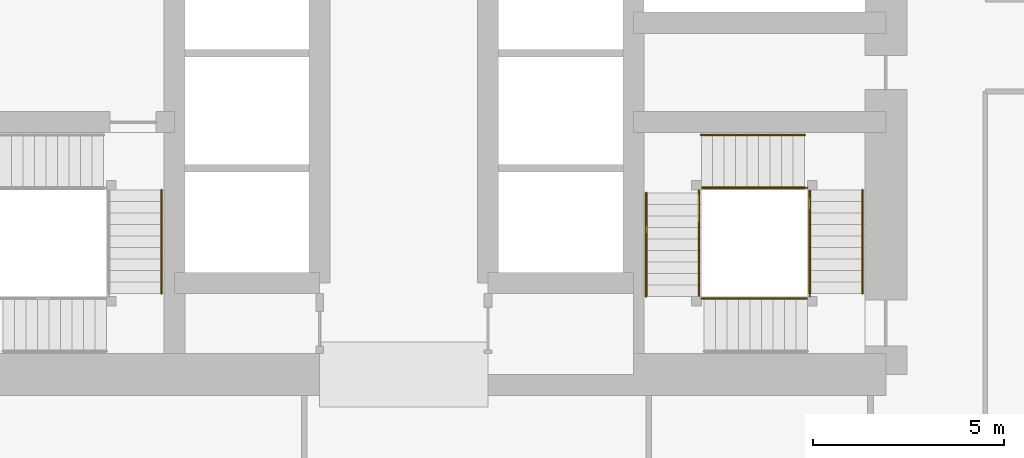
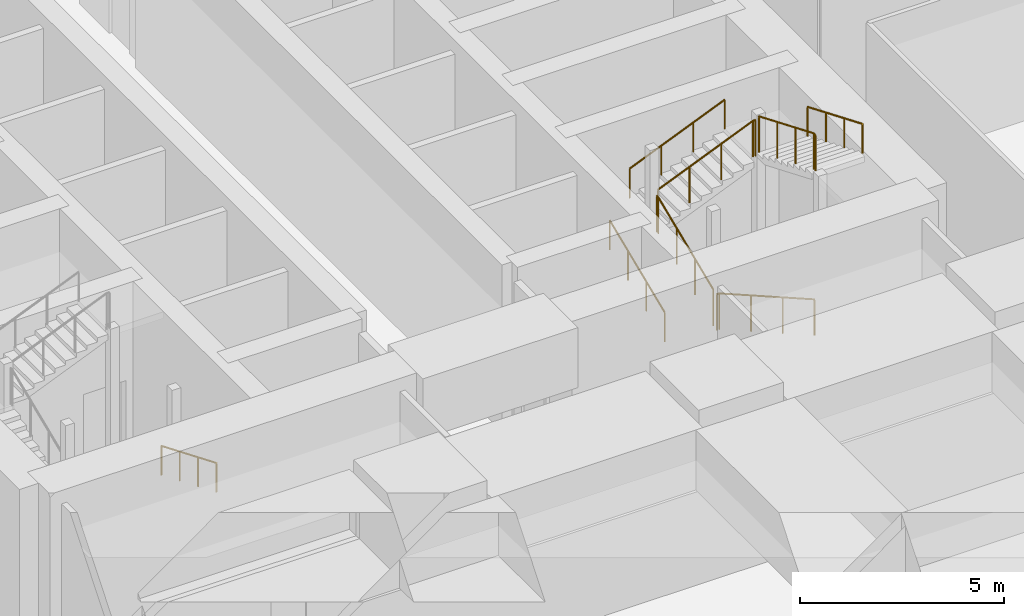
# One storey, part 47 of 52: 12 railings.
"""IFC4 building model written with IfcOpenShell, lengths in metres."""

from ifc_helpers import new_model, si_unit, direction, frame, origin, origin_2d, place, context, subcontext, project, spatial, circle, extrude, material, type_object, element, save


model = new_model("IFC4")

# Units and contexts
model_context = context("Model", 3, precision=1e-05, world=origin(), true_north=direction((0.0, 1.0)))
body_context = subcontext(model_context, "Body", "Model", "MODEL_VIEW")
ifc_project = project(units=[si_unit("LENGTHUNIT", "METRE"), si_unit("AREAUNIT", "SQUARE_METRE"), si_unit("VOLUMEUNIT", "CUBIC_METRE"), si_unit("PLANEANGLEUNIT", "RADIAN"), si_unit("MASSUNIT", "GRAM", prefix="KILO")], contexts=[model_context])

# Site, building, storey
site_placement = place(None, origin())
site = spatial("IfcSite", under=ifc_project, at=site_placement, CompositionType="ELEMENT")
building_placement = place(site_placement, origin())
building = spatial("IfcBuilding", under=site, at=building_placement, Name="Rekha Terrace Tower", CompositionType="ELEMENT")
storey_placement = place(building_placement, frame((0.0, 0.0, 20.39990234375)))
storey = spatial("IfcBuildingStorey", under=building, at=storey_placement, Name="L04", CompositionType="ELEMENT", Elevation=20.39990234375)

# Railings
ifc_material_1 = material(Name="Stainless steel balustrade", Category="steel")
railing_type_1 = type_object("IfcRailingType", Name="GR1 1100 stair guard", PredefinedType="GUARDRAIL", material=ifc_material_1)
railing_1_placement = place(storey_placement, frame((48.35009765625, 22.989990234375, 0.125)))
element("IfcRailing", 1, at=railing_1_placement, inside=storey, type_object=railing_type_1, Name="Guard ST3 L04 flight 1", PredefinedType="GUARDRAIL", context=body_context, shape_type="SweptSolid", body=[
    extrude(circle(Radius=0.02392578125, at=origin_2d()), frame((0.0, 0.0, 1.076171875), z_axis=(-0.923086799901, 0.0, 0.38459167938), x_axis=(0.0, -1.0, 0.0)), (0.0, 0.0, 1.0), 2.92529296875),
    extrude(circle(Radius=0.02099609375, at=origin_2d()), origin(), (0.0, 0.0, 1.0), 1.052001953125),
    extrude(circle(Radius=0.02099609375, at=origin_2d()), frame((-0.900146484375, 0.0, 0.375)), (0.0, 0.0, 1.0), 1.052001953125),
    extrude(circle(Radius=0.02099609375, at=origin_2d()), frame((-1.800048828125, 0.0, 0.75)), (0.0, 0.0, 1.0), 1.052001953125),
    extrude(circle(Radius=0.02099609375, at=origin_2d()), frame((-2.7001953125, 0.0, 1.125)), (0.0, 0.0, 1.0), 1.052001953125),
])
railing_2_placement = place(storey_placement, frame((45.514892578125, 23.050048828125, 1.375)))
element("IfcRailing", 2, at=railing_2_placement, inside=storey, type_object=railing_type_1, Name="Guard ST3 L04 flight 2", PredefinedType="GUARDRAIL", context=body_context, shape_type="SweptSolid", body=[
    extrude(circle(Radius=0.02392578125, at=origin_2d()), frame((0.0, 0.0, 1.076171875), z_axis=(0.0, 0.923074453586, 0.384621311341), x_axis=(-1.0, 0.0, 0.0)), (0.0, 0.0, 1.0), 2.925048828125),
    extrude(circle(Radius=0.02099609375, at=origin_2d()), origin(), (0.0, 0.0, 1.0), 1.052001953125),
    extrude(circle(Radius=0.02099609375, at=origin_2d()), frame((0.0, 0.89990234375, 0.375)), (0.0, 0.0, 1.0), 1.052001953125),
    extrude(circle(Radius=0.02099609375, at=origin_2d()), frame((0.0, 1.800048828125, 0.75)), (0.0, 0.0, 1.0), 1.052001953125),
    extrude(circle(Radius=0.02099609375, at=origin_2d()), frame((0.0, 2.699951171875, 1.125)), (0.0, 0.0, 1.0), 1.052001953125),
])
railing_3_placement = place(storey_placement, frame((45.574951171875, 25.885009765625, 2.625)))
element("IfcRailing", 3, at=railing_3_placement, inside=storey, type_object=railing_type_1, Name="Guard ST3 L04 flight 3", PredefinedType="GUARDRAIL", context=body_context, shape_type="SweptSolid", body=[
    extrude(circle(Radius=0.02392578125, at=origin_2d()), frame((0.0, 0.0, 1.076171875), z_axis=(0.923074453586, 0.0, 0.384621311341), x_axis=(0.0, 1.0, 0.0)), (0.0, 0.0, 1.0), 2.925048828125),
    extrude(circle(Radius=0.02099609375, at=origin_2d()), origin(), (0.0, 0.0, 1.0), 1.052001953125),
    extrude(circle(Radius=0.02099609375, at=origin_2d()), frame((0.89990234375, 0.0, 0.375)), (0.0, 0.0, 1.0), 1.052001953125),
    extrude(circle(Radius=0.02099609375, at=origin_2d()), frame((1.800048828125, 0.0, 0.75)), (0.0, 0.0, 1.0), 1.052001953125),
    extrude(circle(Radius=0.02099609375, at=origin_2d()), frame((2.699951171875, 0.0, 1.125)), (0.0, 0.0, 1.0), 1.052001953125),
])
railing_4_placement = place(storey_placement, frame((48.409912109375, 25.824951171875, 3.875)))
element("IfcRailing", 4, at=railing_4_placement, inside=storey, type_object=railing_type_1, Name="Guard ST3 L04 flight 4", PredefinedType="GUARDRAIL", context=body_context, shape_type="SweptSolid", body=[
    extrude(circle(Radius=0.02392578125, at=origin_2d()), frame((0.0, 0.0, 1.076171875), z_axis=(0.0, -0.923074453586, 0.384621311341), x_axis=(1.0, 0.0, 0.0)), (0.0, 0.0, 1.0), 2.925048828125),
    extrude(circle(Radius=0.02099609375, at=origin_2d()), origin(), (0.0, 0.0, 1.0), 1.052001953125),
    extrude(circle(Radius=0.02099609375, at=origin_2d()), frame((0.0, -0.89990234375, 0.375)), (0.0, 0.0, 1.0), 1.052001953125),
    extrude(circle(Radius=0.02099609375, at=origin_2d()), frame((0.0, -1.800048828125, 0.75)), (0.0, 0.0, 1.0), 1.052001953125),
    extrude(circle(Radius=0.02099609375, at=origin_2d()), frame((0.0, -2.699951171875, 1.125)), (0.0, 0.0, 1.0), 1.052001953125),
])
railing_5_placement = place(storey_placement, frame((45.64990234375, 22.989990234375, 1.25)))
element("IfcRailing", 5, at=railing_5_placement, inside=storey, type_object=railing_type_1, Name="Guard ST3 L04 landing 1", PredefinedType="GUARDRAIL", context=body_context, shape_type="SweptSolid", body=[
    extrude(circle(Radius=0.02392578125, at=origin_2d()), frame((0.0, 0.0, 1.076171875), z_axis=(-1.0, 0.0, 0.0), x_axis=(0.0, -1.0, 0.0)), (0.0, 0.0, 1.0), 0.074951171875),
    extrude(circle(Radius=0.02099609375, at=origin_2d()), origin(), (0.0, 0.0, 1.0), 1.052001953125),
    extrude(circle(Radius=0.02099609375, at=origin_2d()), frame((-0.074951171875, 0.0, 0.0)), (0.0, 0.0, 1.0), 1.052001953125),
])
railing_6_placement = place(storey_placement, frame((45.514892578125, 25.75, 2.5)))
element("IfcRailing", 6, at=railing_6_placement, inside=storey, type_object=railing_type_1, Name="Guard ST3 L04 landing 2", PredefinedType="GUARDRAIL", context=body_context, shape_type="SweptSolid", body=[
    extrude(circle(Radius=0.02392578125, at=origin_2d()), frame((0.0, 0.0, 1.076171875), z_axis=(0.0, 1.0, 0.0), x_axis=(-1.0, 0.0, 0.0)), (0.0, 0.0, 1.0), 0.074951171875),
    extrude(circle(Radius=0.02099609375, at=origin_2d()), origin(), (0.0, 0.0, 1.0), 1.052001953125),
    extrude(circle(Radius=0.02099609375, at=origin_2d()), frame((0.0, 0.074951171875, 0.0)), (0.0, 0.0, 1.0), 1.052001953125),
])
railing_7_placement = place(storey_placement, frame((48.35009765625, 25.885009765625, 3.75)))
element("IfcRailing", 7, at=railing_7_placement, inside=storey, type_object=railing_type_1, Name="Guard ST3 L04 landing 3", PredefinedType="GUARDRAIL", context=body_context, shape_type="SweptSolid", body=[
    extrude(circle(Radius=0.02392578125, at=origin_2d()), frame((0.0, 0.0, 1.076171875), z_axis=(-1.0, 0.0, 0.0), x_axis=(0.0, -1.0, 0.0)), (0.0, 0.0, 1.0), 0.0751953125),
    extrude(circle(Radius=0.02099609375, at=origin_2d()), origin(), (0.0, 0.0, 1.0), 1.052001953125),
    extrude(circle(Radius=0.02099609375, at=origin_2d()), frame((-0.0751953125, 0.0, 0.0)), (0.0, 0.0, 1.0), 1.052001953125),
])
railing_8_placement = place(storey_placement, frame((48.409912109375, 23.050048828125, 5.0)))
element("IfcRailing", 8, at=railing_8_placement, inside=storey, type_object=railing_type_1, Name="Guard ST3 L04 landing 4", PredefinedType="GUARDRAIL", context=body_context, shape_type="SweptSolid", body=[
    extrude(circle(Radius=0.02392578125, at=origin_2d()), frame((0.0, 0.0, 1.076171875), z_axis=(0.0, 1.0, 0.0), x_axis=(-1.0, 0.0, 0.0)), (0.0, 0.0, 1.0), 0.074951171875),
    extrude(circle(Radius=0.02099609375, at=origin_2d()), origin(), (0.0, 0.0, 1.0), 1.052001953125),
    extrude(circle(Radius=0.02099609375, at=origin_2d()), frame((0.0, 0.074951171875, 0.0)), (0.0, 0.0, 1.0), 1.052001953125),
])
ifc_material_2 = material(Name="Stainless steel tube", Category="steel")
railing_type_2 = type_object("IfcRailingType", Name="HR1 900 stair handrail", PredefinedType="HANDRAIL", material=ifc_material_2)
railing_9_placement = place(storey_placement, frame((31.465087890625, 25.824951171875, 0.125)))
element("IfcRailing", 9, at=railing_9_placement, inside=storey, type_object=railing_type_2, Name="Handrail ST1 L04 flight 1", PredefinedType="HANDRAIL", context=body_context, shape_type="SweptSolid", body=[
    extrude(circle(Radius=0.02392578125, at=origin_2d()), frame((0.0, 0.0, 0.8759765625), z_axis=(0.0, -0.923074453586, 0.384621311341), x_axis=(1.0, 0.0, 0.0)), (0.0, 0.0, 1.0), 2.925048828125),
    extrude(circle(Radius=0.02099609375, at=origin_2d()), origin(), (0.0, 0.0, 1.0), 0.851806640625),
    extrude(circle(Radius=0.02099609375, at=origin_2d()), frame((0.0, -0.89990234375, 0.375)), (0.0, 0.0, 1.0), 0.851806640625),
    extrude(circle(Radius=0.02099609375, at=origin_2d()), frame((0.0, -1.800048828125, 0.75)), (0.0, 0.0, 1.0), 0.851806640625),
    extrude(circle(Radius=0.02099609375, at=origin_2d()), frame((0.0, -2.699951171875, 1.125)), (0.0, 0.0, 1.0), 0.851806640625),
])
railing_10_placement = place(storey_placement, frame((44.135009765625, 23.050048828125, 1.375)))
element("IfcRailing", 10, at=railing_10_placement, inside=storey, type_object=railing_type_2, Name="Handrail ST3 L04 flight 2", PredefinedType="HANDRAIL", context=body_context, shape_type="SweptSolid", body=[
    extrude(circle(Radius=0.02392578125, at=origin_2d()), frame((0.0, 0.0, 0.8759765625), z_axis=(0.0, 0.923074453586, 0.384621311341), x_axis=(-1.0, 0.0, 0.0)), (0.0, 0.0, 1.0), 2.925048828125),
    extrude(circle(Radius=0.02099609375, at=origin_2d()), origin(), (0.0, 0.0, 1.0), 0.851806640625),
    extrude(circle(Radius=0.02099609375, at=origin_2d()), frame((0.0, 0.89990234375, 0.375)), (0.0, 0.0, 1.0), 0.851806640625),
    extrude(circle(Radius=0.02099609375, at=origin_2d()), frame((0.0, 1.800048828125, 0.75)), (0.0, 0.0, 1.0), 0.851806640625),
    extrude(circle(Radius=0.02099609375, at=origin_2d()), frame((0.0, 2.699951171875, 1.125)), (0.0, 0.0, 1.0), 0.851806640625),
])
railing_11_placement = place(storey_placement, frame((45.574951171875, 27.264892578125, 2.625)))
element("IfcRailing", 11, at=railing_11_placement, inside=storey, type_object=railing_type_2, Name="Handrail ST3 L04 flight 3", PredefinedType="HANDRAIL", context=body_context, shape_type="SweptSolid", body=[
    extrude(circle(Radius=0.02392578125, at=origin_2d()), frame((0.0, 0.0, 0.8759765625), z_axis=(0.923074453586, 0.0, 0.384621311341), x_axis=(0.0, 1.0, 0.0)), (0.0, 0.0, 1.0), 2.925048828125),
    extrude(circle(Radius=0.02099609375, at=origin_2d()), origin(), (0.0, 0.0, 1.0), 0.851806640625),
    extrude(circle(Radius=0.02099609375, at=origin_2d()), frame((0.89990234375, 0.0, 0.375)), (0.0, 0.0, 1.0), 0.851806640625),
    extrude(circle(Radius=0.02099609375, at=origin_2d()), frame((1.800048828125, 0.0, 0.75)), (0.0, 0.0, 1.0), 0.851806640625),
    extrude(circle(Radius=0.02099609375, at=origin_2d()), frame((2.699951171875, 0.0, 1.125)), (0.0, 0.0, 1.0), 0.851806640625),
])
railing_12_placement = place(storey_placement, frame((49.7900390625, 25.824951171875, 3.875)))
element("IfcRailing", 12, at=railing_12_placement, inside=storey, type_object=railing_type_2, Name="Handrail ST3 L04 flight 4", PredefinedType="HANDRAIL", context=body_context, shape_type="SweptSolid", body=[
    extrude(circle(Radius=0.02392578125, at=origin_2d()), frame((0.0, 0.0, 0.8759765625), z_axis=(0.0, -0.923074453586, 0.384621311341), x_axis=(1.0, 0.0, 0.0)), (0.0, 0.0, 1.0), 2.925048828125),
    extrude(circle(Radius=0.02099609375, at=origin_2d()), origin(), (0.0, 0.0, 1.0), 0.851806640625),
    extrude(circle(Radius=0.02099609375, at=origin_2d()), frame((0.0, -0.89990234375, 0.375)), (0.0, 0.0, 1.0), 0.851806640625),
    extrude(circle(Radius=0.02099609375, at=origin_2d()), frame((0.0, -1.800048828125, 0.75)), (0.0, 0.0, 1.0), 0.851806640625),
    extrude(circle(Radius=0.02099609375, at=origin_2d()), frame((0.0, -2.699951171875, 1.125)), (0.0, 0.0, 1.0), 0.851806640625),
])

save(model, "model.ifc")
